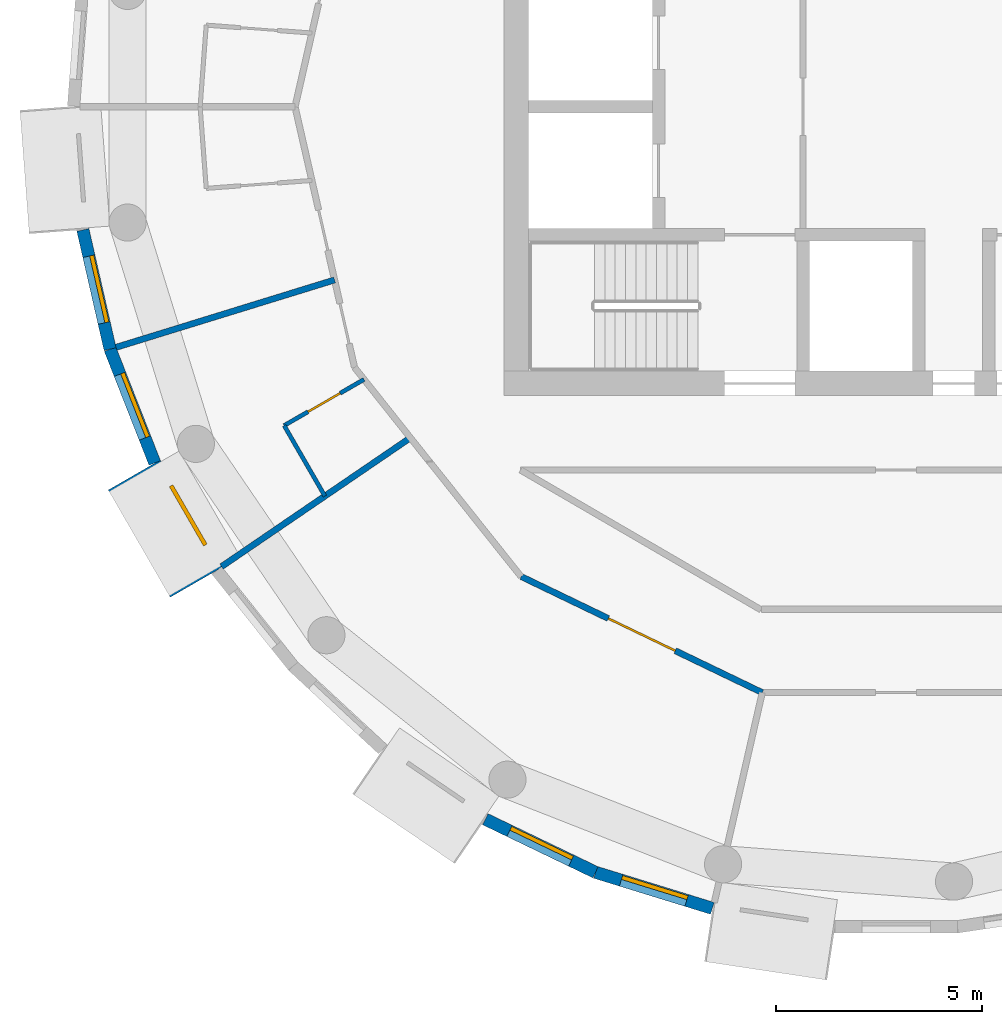
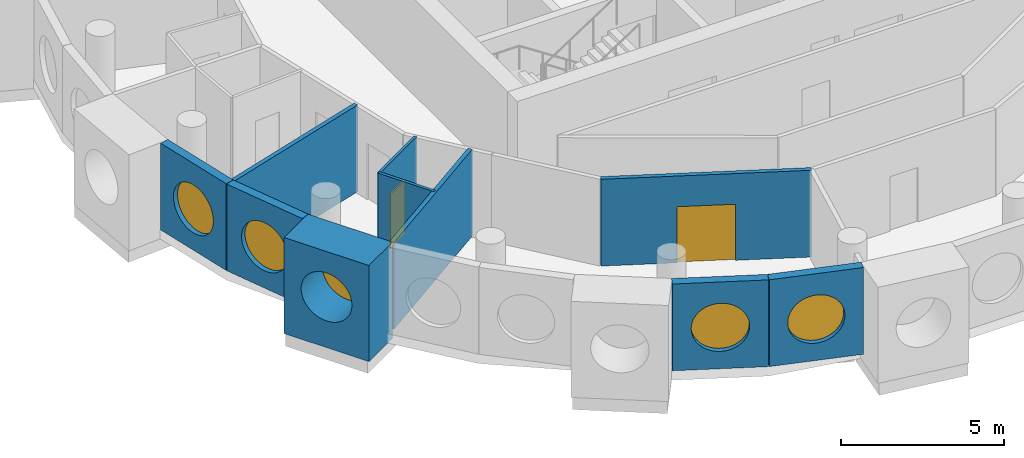
# One storey, part 2 of 13: 10 walls, 5 windows, 2 doors, 7 openings.
"""IFC4 building model written with IfcOpenShell, lengths in metres."""

from ifc_helpers import new_model, si_unit, direction, frame, frame_2d, origin, origin_2d, place, context, subcontext, project, spatial, rectangle, circle, extrude, material, layer, layer_set, type_object, element, fill, save


model = new_model("IFC4")

# Units and contexts
model_context = context("Model", 3, precision=1e-05, world=origin(), true_north=direction((0.0, 1.0)))
body_context = subcontext(model_context, "Body", "Model", "MODEL_VIEW")
ifc_project = project(units=[si_unit("LENGTHUNIT", "METRE"), si_unit("AREAUNIT", "SQUARE_METRE"), si_unit("VOLUMEUNIT", "CUBIC_METRE"), si_unit("PLANEANGLEUNIT", "RADIAN"), si_unit("MASSUNIT", "GRAM", prefix="KILO")], contexts=[model_context])

# Site, building, storey
site_placement = place(None, origin())
site = spatial("IfcSite", under=ifc_project, at=site_placement, CompositionType="ELEMENT")
building_placement = place(site_placement, origin())
building = spatial("IfcBuilding", under=site, at=building_placement, Name="Tracery Tower", CompositionType="ELEMENT")
storey_placement = place(building_placement, frame((0.0, 0.0, 309.0)))
storey = spatial("IfcBuildingStorey", under=building, at=storey_placement, Name="L80", CompositionType="ELEMENT", Elevation=309.0)

# Wall, opening, window
ifc_material_1 = material(Name="Precast concrete C50/60", Category="concrete")
ifc_layer_1 = layer(ifc_material_1, 1.449951171875)
ifc_layer_set_1 = layer_set([ifc_layer_1], Name="Deep-set bay unit 3000 x 3600, slab edge 350")
wall_type_1 = type_object("IfcWallType", Name="Deep-set bay unit 3000 x 3600, slab edge 350", PredefinedType="ELEMENTEDWALL", material=ifc_layer_set_1)
wall_1_placement = place(storey_placement, frame((-18.452392578125, -8.92138671875, -0.35009765625), z_axis=(0.0, 0.0, 1.0), x_axis=(0.499990139034, -0.866031096941, 0.0)))
wall_1 = element("IfcWall", 1, at=wall_1_placement, inside=storey, type_object=wall_type_1, Name="Deep-set bay unit 25 at L80", PredefinedType="ELEMENTEDWALL", context=body_context, shape_type="SweptSolid", body=[
    extrude(rectangle(XDim=3.0, YDim=1.449951171875, at=frame_2d((1.5, 0.0))), origin(), (0.0, 0.0, 1.0), 3.60009765625),
])
opening_1_placement = place(wall_1_placement, frame((1.5, 0.0, 1.89990234375)))
opening_1 = element("IfcOpeningElement", 2, at=opening_1_placement, cuts=wall_1, Name="Opening WN1", PredefinedType="OPENING", context=body_context, shape_type="SweptSolid", body=[
    extrude(circle(Radius=0.9000244140625, at=origin_2d()), frame((0.0, 0.73486328125, 0.0), z_axis=(0.0, -1.0, 0.0), x_axis=(1.0, 0.0, 0.0)), (0.0, 0.0, 1.0), 1.469970703125),
])
ifc_material_2 = material(Name="Aluminium frame with tinted double glazing", Category="aluminium")
window_type = type_object("IfcWindowType", Name="Round window 1800", PartitioningType="SINGLE_PANEL", PredefinedType="WINDOW", material=ifc_material_2)
window_1_placement = place(opening_1_placement, origin())
window_1 = element("IfcWindow", 3, at=window_1_placement, inside=storey, type_object=window_type, Name="Round window 25 at L80", OverallHeight=1.800048828125, OverallWidth=1.800048828125, PartitioningType="SINGLE_PANEL", PredefinedType="WINDOW", context=body_context, shape_type="SweptSolid", body=[
    extrude(circle(Radius=0.9000244140625, at=origin_2d()), frame((0.0, 0.69482421875, 0.0), z_axis=(0.0, -1.0, 0.0), x_axis=(1.0, 0.0, 0.0)), (0.0, 0.0, 1.0), 0.10009765625),
])
fill(opening_1, window_1)

ifc_material_3 = material(Name="Precast concrete C50/60", Category="concrete")
ifc_layer_2 = layer(ifc_material_3, 0.300048828125)
ifc_layer_set_2 = layer_set([ifc_layer_2], Name="Facade panel 3000 x 3250")
wall_type_2 = type_object("IfcWallType", Name="Facade panel 3000 x 3250", PredefinedType="SOLIDWALL", material=ifc_layer_set_2)
wall_2_placement = place(storey_placement, frame((-19.69580078125, -2.984130859375, 0.0), z_axis=(0.0, 0.0, 1.0), x_axis=(0.222529389789, -0.974925982155, 0.0)))
wall_2 = element("IfcWall", 4, at=wall_2_placement, inside=storey, type_object=wall_type_2, Name="Facade panel 23 at L80", PredefinedType="SOLIDWALL", context=body_context, shape_type="SweptSolid", body=[
    extrude(rectangle(XDim=2.962158203125, YDim=0.300048828125, at=frame_2d((1.48095703125, 0.0))), origin(), (0.0, 0.0, 1.0), 3.25),
])
opening_2_placement = place(wall_2_placement, frame((1.48095703125, 0.0, 1.5498046875)))
opening_2 = element("IfcOpeningElement", 5, at=opening_2_placement, cuts=wall_2, Name="Opening WN1", PredefinedType="OPENING", context=body_context, shape_type="SweptSolid", body=[
    extrude(circle(Radius=0.9000244140625, at=origin_2d()), frame((0.0, 0.159912109375, 0.0), z_axis=(0.0, -1.0, 0.0), x_axis=(1.0, 0.0, 0.0)), (0.0, 0.0, 1.0), 0.320068359375),
])
window_2_placement = place(opening_2_placement, origin())
window_2 = element("IfcWindow", 6, at=window_2_placement, inside=storey, type_object=window_type, Name="Round window 23 at L80", OverallHeight=1.800048828125, OverallWidth=1.800048828125, PartitioningType="SINGLE_PANEL", PredefinedType="WINDOW", context=body_context, shape_type="SweptSolid", body=[
    extrude(circle(Radius=0.9000244140625, at=origin_2d()), frame((0.0, 0.1201171875, 0.0), z_axis=(0.0, -1.0, 0.0), x_axis=(1.0, 0.0, 0.0)), (0.0, 0.0, 1.0), 0.10009765625),
])
fill(opening_2, window_2)

wall_3_placement = place(storey_placement, frame((-19.03662109375, -5.8720703125, 0.0), z_axis=(0.0, 0.0, 1.0), x_axis=(0.36530043032, -0.930889679612, 0.0)))
wall_3 = element("IfcWall", 7, at=wall_3_placement, inside=storey, type_object=wall_type_2, Name="Facade panel 24 at L80", PredefinedType="SOLIDWALL", context=body_context, shape_type="SweptSolid", body=[
    extrude(rectangle(XDim=2.9619140625, YDim=0.300048828125, at=frame_2d((1.48095703125, 0.0))), origin(), (0.0, 0.0, 1.0), 3.25),
])
opening_3_placement = place(wall_3_placement, frame((1.48095703125, 0.0, 1.5498046875)))
opening_3 = element("IfcOpeningElement", 8, at=opening_3_placement, cuts=wall_3, Name="Opening WN1", PredefinedType="OPENING", context=body_context, shape_type="SweptSolid", body=[
    extrude(circle(Radius=0.9000244140625, at=origin_2d()), frame((0.0, 0.159912109375, 0.0), z_axis=(0.0, -1.0, 0.0), x_axis=(1.0, 0.0, 0.0)), (0.0, 0.0, 1.0), 0.320068359375),
])
window_3_placement = place(opening_3_placement, origin())
window_3 = element("IfcWindow", 9, at=window_3_placement, inside=storey, type_object=window_type, Name="Round window 24 at L80", OverallHeight=1.800048828125, OverallWidth=1.800048828125, PartitioningType="SINGLE_PANEL", PredefinedType="WINDOW", context=body_context, shape_type="SweptSolid", body=[
    extrude(circle(Radius=0.9000244140625, at=origin_2d()), frame((0.0, 0.1201171875, 0.0), z_axis=(0.0, -1.0, 0.0), x_axis=(1.0, 0.0, 0.0)), (0.0, 0.0, 1.0), 0.10009765625),
])
fill(opening_3, window_3)

wall_4_placement = place(storey_placement, frame((-9.947021484375, -17.25927734375, 0.0), z_axis=(0.0, 0.0, 1.0), x_axis=(0.900939615635, -0.433944476838, 0.0)))
wall_4 = element("IfcWall", 10, at=wall_4_placement, inside=storey, type_object=wall_type_2, Name="Facade panel 29 at L80", PredefinedType="SOLIDWALL", context=body_context, shape_type="SweptSolid", body=[
    extrude(rectangle(XDim=2.962158203125, YDim=0.300048828125, at=frame_2d((1.48095703125, 0.0))), origin(), (0.0, 0.0, 1.0), 3.25),
])
opening_4_placement = place(wall_4_placement, frame((1.48095703125, 0.0, 1.5498046875)))
opening_4 = element("IfcOpeningElement", 11, at=opening_4_placement, cuts=wall_4, Name="Opening WN1", PredefinedType="OPENING", context=body_context, shape_type="SweptSolid", body=[
    extrude(circle(Radius=0.9000244140625, at=origin_2d()), frame((0.0, 0.159912109375, 0.0), z_axis=(0.0, -1.0, 0.0), x_axis=(1.0, 0.0, 0.0)), (0.0, 0.0, 1.0), 0.320068359375),
])
window_4_placement = place(opening_4_placement, origin())
window_4 = element("IfcWindow", 12, at=window_4_placement, inside=storey, type_object=window_type, Name="Round window 29 at L80", OverallHeight=1.800048828125, OverallWidth=1.800048828125, PartitioningType="SINGLE_PANEL", PredefinedType="WINDOW", context=body_context, shape_type="SweptSolid", body=[
    extrude(circle(Radius=0.9000244140625, at=origin_2d()), frame((0.0, 0.1201171875, 0.0), z_axis=(0.0, -1.0, 0.0), x_axis=(1.0, 0.0, 0.0)), (0.0, 0.0, 1.0), 0.10009765625),
])
fill(opening_4, window_4)

wall_5_placement = place(storey_placement, frame((-7.2783203125, -18.544677734375, 0.0), z_axis=(0.0, 0.0, 1.0), x_axis=(0.95558635705, -0.294711238707, 0.0)))
wall_5 = element("IfcWall", 13, at=wall_5_placement, inside=storey, type_object=wall_type_2, Name="Facade panel 30 at L80", PredefinedType="SOLIDWALL", context=body_context, shape_type="SweptSolid", body=[
    extrude(rectangle(XDim=2.96240234375, YDim=0.300048828125, at=frame_2d((1.481201171875, 0.0))), origin(), (0.0, 0.0, 1.0), 3.25),
])
opening_5_placement = place(wall_5_placement, frame((1.48095703125, 0.0, 1.5498046875)))
opening_5 = element("IfcOpeningElement", 14, at=opening_5_placement, cuts=wall_5, Name="Opening WN1", PredefinedType="OPENING", context=body_context, shape_type="SweptSolid", body=[
    extrude(circle(Radius=0.9000244140625, at=origin_2d()), frame((0.0, 0.159912109375, 0.0), z_axis=(0.0, -1.0, 0.0), x_axis=(1.0, 0.0, 0.0)), (0.0, 0.0, 1.0), 0.320068359375),
])
window_5_placement = place(opening_5_placement, origin())
window_5 = element("IfcWindow", 15, at=window_5_placement, inside=storey, type_object=window_type, Name="Round window 30 at L80", OverallHeight=1.800048828125, OverallWidth=1.800048828125, PartitioningType="SINGLE_PANEL", PredefinedType="WINDOW", context=body_context, shape_type="SweptSolid", body=[
    extrude(circle(Radius=0.9000244140625, at=origin_2d()), frame((0.0, 0.1201171875, 0.0), z_axis=(0.0, -1.0, 0.0), x_axis=(1.0, 0.0, 0.0)), (0.0, 0.0, 1.0), 0.10009765625),
])
fill(opening_5, window_5)

# Wall, opening, door
ifc_material_4 = material(Name="Plasterboard on steel studs", Category="steel")
ifc_layer_3 = layer(ifc_material_4, 0.10009765625)
ifc_layer_set_3 = layer_set([ifc_layer_3], Name="Partition 100 wet wall")
wall_type_3 = type_object("IfcWallType", Name="Partition 100 wet wall", PredefinedType="PARTITIONING", material=ifc_layer_set_3)
wall_6_placement = place(storey_placement, frame((-14.820068359375, -7.721923828125, 0.0), z_axis=(0.0, 0.0, 1.0), x_axis=(0.866076416361, 0.499911633214, 0.0)))
wall_6 = element("IfcWall", 16, at=wall_6_placement, inside=storey, type_object=wall_type_3, Name="Wet wall RC8-082", PredefinedType="PARTITIONING", context=body_context, shape_type="SweptSolid", body=[
    extrude(rectangle(XDim=2.234375, YDim=0.10009765625, at=frame_2d((1.1171875, 0.0))), origin(), (0.0, 0.0, 1.0), 3.25),
])
opening_6_placement = place(wall_6_placement, frame((0.667236328125, 0.0, 0.0)))
opening_6 = element("IfcOpeningElement", 17, at=opening_6_placement, cuts=wall_6, Name="Opening RC8-27", PredefinedType="OPENING", context=body_context, shape_type="SweptSolid", body=[
    extrude(rectangle(XDim=0.89990234375, YDim=2.0400390625, at=frame_2d((0.449951171875, 1.02001953125))), frame((0.0, 0.050048828125, 0.0), z_axis=(0.0, -1.0, 0.0), x_axis=(1.0, 0.0, 0.0)), (0.0, 0.0, 1.0), 0.10009765625),
])
ifc_material_5 = material(Name="Timber door leaf", Category="wood")
door_type_1 = type_object("IfcDoorType", Name="Door en-suite 900", OperationType="NOTDEFINED", PredefinedType="DOOR", material=ifc_material_5)
door_1_placement = place(opening_6_placement, origin())
door_1 = element("IfcDoor", 18, at=door_1_placement, inside=storey, type_object=door_type_1, Name="En-suite door RC8-27", OperationType="SINGLE_SWING_LEFT", OverallHeight=2.0400390625, OverallWidth=0.89990234375, PredefinedType="DOOR", context=body_context, shape_type="SweptSolid", body=[
    extrude(rectangle(XDim=0.89990234375, YDim=2.0400390625, at=frame_2d((0.449951171875, 1.02001953125))), frame((0.0, 0.02490234375, 0.0), z_axis=(0.0, -1.0, 0.0), x_axis=(1.0, 0.0, 0.0)), (0.0, 0.0, 1.0), 0.050048828125),
])
fill(opening_6, door_1)

# Walls
wall_7_placement = place(storey_placement, frame((-14.820068359375, -7.721923828125, 0.0), z_axis=(0.0, 0.0, 1.0), x_axis=(0.500143626598, -0.865942465048, 0.0)))
element("IfcWall", 19, at=wall_7_placement, inside=storey, type_object=wall_type_3, Name="Wet wall RC8-083", PredefinedType="PARTITIONING", context=body_context, shape_type="SweptSolid", body=[
    extrude(rectangle(XDim=1.9736328125, YDim=0.10009765625, at=frame_2d((0.98681640625, 0.0))), origin(), (0.0, 0.0, 1.0), 3.25),
])
ifc_material_6 = material(Name="Plasterboard on steel studs", Category="steel")
ifc_layer_4 = layer(ifc_material_6, 0.14990234375)
ifc_layer_set_4 = layer_set([ifc_layer_4], Name="Partition 150 acoustic unit wall")
wall_type_4 = type_object("IfcWallType", Name="Partition 150 acoustic unit wall", PredefinedType="PARTITIONING", material=ifc_layer_set_4)
wall_8_placement = place(storey_placement, frame((-18.89306640625, -5.827880859375, 0.0), z_axis=(0.0, 0.0, 1.0), x_axis=(0.955580602693, 0.294729896274, 0.0)))
element("IfcWall", 20, at=wall_8_placement, inside=storey, type_object=wall_type_4, Name="Unit wall RC8-081", PredefinedType="PARTITIONING", context=body_context, shape_type="SweptSolid", body=[
    extrude(rectangle(XDim=5.5400390625, YDim=0.14990234375, at=frame_2d((2.77001953125, 0.0))), origin(), (0.0, 0.0, 1.0), 3.25),
])
wall_9_placement = place(storey_placement, frame((-16.3359375, -11.137939453125, 0.0), z_axis=(0.0, 0.0, 1.0), x_axis=(0.82615274451, 0.563446219917, 0.0)))
element("IfcWall", 21, at=wall_9_placement, inside=storey, type_object=wall_type_4, Name="Unit wall RC8-084", PredefinedType="PARTITIONING", context=body_context, shape_type="SweptSolid", body=[
    extrude(rectangle(XDim=5.539794921875, YDim=0.14990234375, at=frame_2d((2.77001953125, 0.0))), origin(), (0.0, 0.0, 1.0), 3.25),
])

# Wall, opening, door
ifc_material_7 = material(Name="Plasterboard on steel studs", Category="steel")
ifc_layer_5 = layer(ifc_material_7, 0.14990234375)
ifc_layer_set_5 = layer_set([ifc_layer_5], Name="Partition 150 corridor wall")
wall_type_5 = type_object("IfcWallType", Name="Partition 150 corridor wall", PredefinedType="PARTITIONING", material=ifc_layer_set_5)
wall_10_placement = place(storey_placement, frame((-9.075927734375, -11.381103515625, 0.0), z_axis=(0.0, 0.0, 1.0), x_axis=(0.900976027191, -0.433868872388, 0.0)))
wall_10 = element("IfcWall", 22, at=wall_10_placement, inside=storey, type_object=wall_type_5, Name="Corridor wall RC8-039", PredefinedType="PARTITIONING", context=body_context, shape_type="SweptSolid", body=[
    extrude(rectangle(XDim=6.478515625, YDim=0.14990234375, at=frame_2d((3.2392578125, 0.0))), origin(), (0.0, 0.0, 1.0), 3.25),
])
opening_7_placement = place(wall_10_placement, frame((2.339599609375, 0.0, 0.0)))
opening_7 = element("IfcOpeningElement", 23, at=opening_7_placement, cuts=wall_10, Name="Opening RC8-29", PredefinedType="OPENING", context=body_context, shape_type="SweptSolid", body=[
    extrude(rectangle(XDim=1.800048828125, YDim=2.10009765625, at=frame_2d((0.89990234375, 1.050048828125))), frame((0.0, 0.074951171875, 0.0), z_axis=(0.0, -1.0, 0.0), x_axis=(1.0, 0.0, 0.0)), (0.0, 0.0, 1.0), 0.14990234375),
])
ifc_material_8 = material(Name="Timber door leaf", Category="wood")
door_type_2 = type_object("IfcDoorType", Name="Door double lounge 1800", OperationType="NOTDEFINED", PredefinedType="DOOR", material=ifc_material_8)
door_2_placement = place(opening_7_placement, origin())
door_2 = element("IfcDoor", 24, at=door_2_placement, inside=storey, type_object=door_type_2, Name="Double lounge door RC8-29", OperationType="DOUBLE_DOOR_SINGLE_SWING", OverallHeight=2.10009765625, OverallWidth=1.800048828125, PredefinedType="DOOR", context=body_context, shape_type="SweptSolid", body=[
    extrude(rectangle(XDim=1.800048828125, YDim=2.10009765625, at=frame_2d((0.89990234375, 1.050048828125))), frame((0.0, 0.02490234375, 0.0), z_axis=(0.0, -1.0, 0.0), x_axis=(1.0, 0.0, 0.0)), (0.0, 0.0, 1.0), 0.050048828125),
])
fill(opening_7, door_2)

save(model, "model.ifc")
